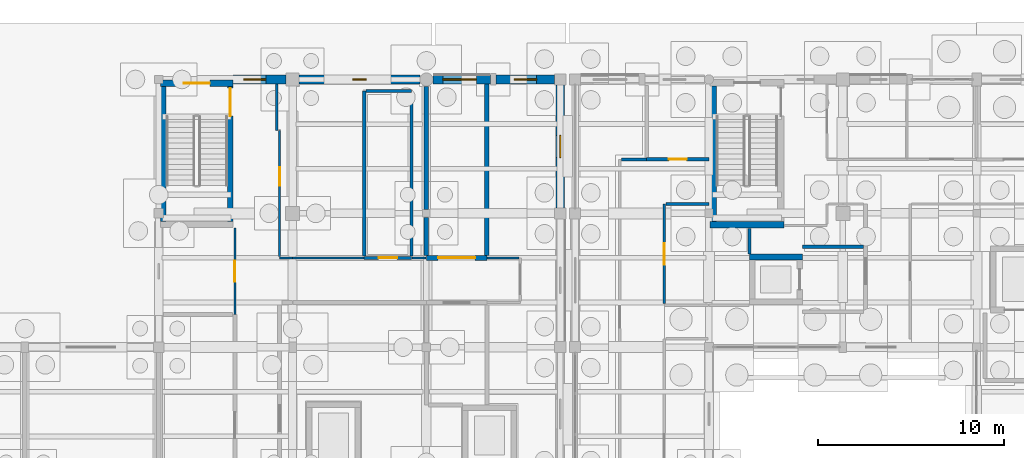
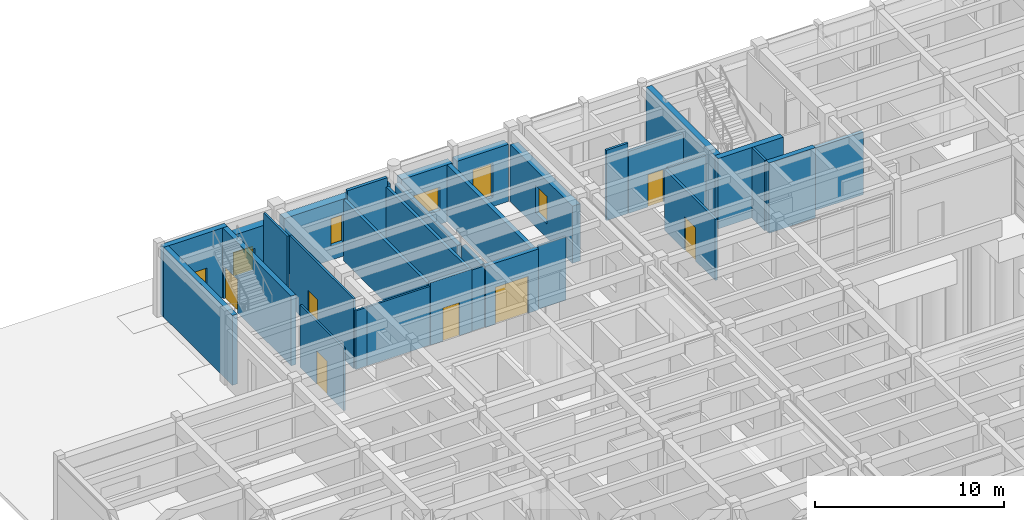
# One storey, part 109 of 143: 32 walls, 8 doors, 5 windows, 13 openings.
"""IFC4 building model written with IfcOpenShell, lengths in metres."""

from ifc_helpers import new_model, si_unit, direction, frame, frame_2d, origin, place, context, subcontext, project, spatial, rectangle, extrude, material, layer, layer_set, type_object, element, fill, save


model = new_model("IFC4")

# Units and contexts
model_context = context("Model", 3, precision=1e-05, world=origin(), true_north=direction((0.0, 1.0)))
body_context = subcontext(model_context, "Body", "Model", "MODEL_VIEW")
ifc_project = project(units=[si_unit("LENGTHUNIT", "METRE"), si_unit("AREAUNIT", "SQUARE_METRE"), si_unit("VOLUMEUNIT", "CUBIC_METRE"), si_unit("PLANEANGLEUNIT", "RADIAN"), si_unit("MASSUNIT", "GRAM", prefix="KILO")], contexts=[model_context])

# Site, building, storey
site_placement = place(None, origin())
site = spatial("IfcSite", under=ifc_project, at=site_placement, CompositionType="ELEMENT")
building_placement = place(site_placement, origin())
building = spatial("IfcBuilding", under=site, at=building_placement, Name="Steenspoor Specialist Clinic", CompositionType="ELEMENT")
storey_placement = place(building_placement, origin())
storey = spatial("IfcBuildingStorey", under=building, at=storey_placement, Name="L00", CompositionType="ELEMENT", Elevation=0.0)

# Wall, opening, window
ifc_material_1 = material(Name="Volcanic basalt ashlar masonry", Category="masonry")
ifc_layer_1 = layer(ifc_material_1, 0.47998046875)
ifc_layer_set_1 = layer_set([ifc_layer_1], Name="Volcanic basalt ashlar masonry")
wall_type_1 = type_object("IfcWallType", Name="W-BASALT-480", PredefinedType="SOLIDWALL", material=ifc_layer_set_1)
wall_1_placement = place(storey_placement, frame((34.0, 108.35009765625, 0.0), z_axis=(0.0, 0.0, 1.0), x_axis=(1.0, 0.0, 0.0)))
wall_1 = element("IfcWall", 1, at=wall_1_placement, inside=storey, type_object=wall_type_1, Name="Exterior Brick Wall EW-V5-L00-0244", PredefinedType="SOLIDWALL", context=body_context, shape_type="SweptSolid", body=[
    extrude(rectangle(XDim=2.85009765625, YDim=0.47998046875, at=frame_2d((1.425048828125, 0.0))), origin(), (0.0, 0.0, 1.0), 3.699951171875),
])
opening_1_placement = place(wall_1_placement, frame((0.56494140625, 0.0, 0.89990234375)))
opening_1 = element("IfcOpeningElement", 2, at=opening_1_placement, cuts=wall_1, Name="Opening WN-11", PredefinedType="OPENING", context=body_context, shape_type="SweptSolid", body=[
    extrude(rectangle(XDim=1.199951171875, YDim=1.5, at=frame_2d((0.60009765625, 0.75))), frame((0.0, 0.25, 0.0), z_axis=(0.0, -1.0, 0.0), x_axis=(1.0, 0.0, 0.0)), (0.0, 0.0, 1.0), 0.5),
])
ifc_material_2 = material(Name="Thermally broken aluminium and low-emissivity glass", Category="aluminium")
window_type_1 = type_object("IfcWindowType", Name="WN-EXT-120X150", PartitioningType="SINGLE_PANEL", PredefinedType="WINDOW", material=ifc_material_2)
window_1_placement = place(opening_1_placement, origin())
window_1 = element("IfcWindow", 3, at=window_1_placement, inside=storey, type_object=window_type_1, Name="Window 0265", OverallHeight=1.5, OverallWidth=1.199951171875, PartitioningType="SINGLE_PANEL", PredefinedType="WINDOW", context=body_context, shape_type="SweptSolid", body=[
    extrude(rectangle(XDim=1.199951171875, YDim=1.5, at=frame_2d((0.60009765625, 0.75))), frame((0.0, 0.030029296875, 0.0), z_axis=(0.0, -1.0, 0.0), x_axis=(1.0, 0.0, 0.0)), (0.0, 0.0, 1.0), 0.06005859375),
])
fill(opening_1, window_1)

wall_2_placement = place(storey_placement, frame((37.550048828125, 108.35009765625, 0.0), z_axis=(0.0, 0.0, 1.0), x_axis=(1.0, 0.0, 0.0)))
wall_2 = element("IfcWall", 4, at=wall_2_placement, inside=storey, type_object=wall_type_1, Name="Exterior Brick Wall EW-V5-L00-0245", PredefinedType="SOLIDWALL", context=body_context, shape_type="SweptSolid", body=[
    extrude(rectangle(XDim=6.5, YDim=0.47998046875, at=frame_2d((3.25, 0.0))), origin(), (0.0, 0.0, 1.0), 3.699951171875),
])
opening_2_placement = place(wall_2_placement, frame((2.875, 0.0, 0.89990234375)))
opening_2 = element("IfcOpeningElement", 5, at=opening_2_placement, cuts=wall_2, Name="Opening WN-02", PredefinedType="OPENING", context=body_context, shape_type="SweptSolid", body=[
    extrude(rectangle(XDim=0.75, YDim=1.800048828125, at=frame_2d((0.375, 0.89990234375))), frame((0.0, 0.25, 0.0), z_axis=(0.0, -1.0, 0.0), x_axis=(1.0, 0.0, 0.0)), (0.0, 0.0, 1.0), 0.5),
])
window_type_2 = type_object("IfcWindowType", Name="WN-EXT-075X180", PartitioningType="SINGLE_PANEL", PredefinedType="WINDOW", material=ifc_material_2)
window_2_placement = place(opening_2_placement, origin())
window_2 = element("IfcWindow", 6, at=window_2_placement, inside=storey, type_object=window_type_2, Name="Window 0266", OverallHeight=1.800048828125, OverallWidth=0.75, PartitioningType="SINGLE_PANEL", PredefinedType="WINDOW", context=body_context, shape_type="SweptSolid", body=[
    extrude(rectangle(XDim=0.75, YDim=1.800048828125, at=frame_2d((0.375, 0.89990234375))), frame((0.0, 0.030029296875, 0.0), z_axis=(0.0, -1.0, 0.0), x_axis=(1.0, 0.0, 0.0)), (0.0, 0.0, 1.0), 0.06005859375),
])
fill(opening_2, window_2)

wall_3_placement = place(storey_placement, frame((44.75, 108.35009765625, 0.0), z_axis=(0.0, 0.0, 1.0), x_axis=(1.0, 0.0, 0.0)))
wall_3 = element("IfcWall", 7, at=wall_3_placement, inside=storey, type_object=wall_type_1, Name="Exterior Brick Wall EW-V5-L00-0246", PredefinedType="SOLIDWALL", context=body_context, shape_type="SweptSolid", body=[
    extrude(rectangle(XDim=3.10009765625, YDim=0.47998046875, at=frame_2d((1.550048828125, 0.0))), origin(), (0.0, 0.0, 1.0), 3.699951171875),
])
opening_3_placement = place(wall_3_placement, frame((0.5400390625, 0.0, 0.89990234375)))
opening_3 = element("IfcOpeningElement", 8, at=opening_3_placement, cuts=wall_3, Name="Opening WN-13", PredefinedType="OPENING", context=body_context, shape_type="SweptSolid", body=[
    extrude(rectangle(XDim=1.800048828125, YDim=1.5, at=frame_2d((0.89990234375, 0.75))), frame((0.0, 0.25, 0.0), z_axis=(0.0, -1.0, 0.0), x_axis=(1.0, 0.0, 0.0)), (0.0, 0.0, 1.0), 0.5),
])
window_type_3 = type_object("IfcWindowType", Name="WN-EXT-180X150", PartitioningType="SINGLE_PANEL", PredefinedType="WINDOW", material=ifc_material_2)
window_3_placement = place(opening_3_placement, origin())
window_3 = element("IfcWindow", 9, at=window_3_placement, inside=storey, type_object=window_type_3, Name="Window 0267", OverallHeight=1.5, OverallWidth=1.800048828125, PartitioningType="SINGLE_PANEL", PredefinedType="WINDOW", context=body_context, shape_type="SweptSolid", body=[
    extrude(rectangle(XDim=1.800048828125, YDim=1.5, at=frame_2d((0.89990234375, 0.75))), frame((0.0, 0.030029296875, 0.0), z_axis=(0.0, -1.0, 0.0), x_axis=(1.0, 0.0, 0.0)), (0.0, 0.0, 1.0), 0.06005859375),
])
fill(opening_3, window_3)

wall_4_placement = place(storey_placement, frame((48.14990234375, 108.35009765625, 0.0), z_axis=(0.0, 0.0, 1.0), x_axis=(1.0, 0.0, 0.0)))
wall_4 = element("IfcWall", 10, at=wall_4_placement, inside=storey, type_object=wall_type_1, Name="Exterior Brick Wall EW-V5-L00-0247", PredefinedType="SOLIDWALL", context=body_context, shape_type="SweptSolid", body=[
    extrude(rectangle(XDim=3.150146484375, YDim=0.47998046875, at=frame_2d((1.5751953125, 0.0))), origin(), (0.0, 0.0, 1.0), 3.699951171875),
])
opening_4_placement = place(wall_4_placement, frame((0.97509765625, 0.0, 0.60009765625)))
opening_4 = element("IfcOpeningElement", 11, at=opening_4_placement, cuts=wall_4, Name="Opening WN-15", PredefinedType="OPENING", context=body_context, shape_type="SweptSolid", body=[
    extrude(rectangle(XDim=1.199951171875, YDim=2.199951171875, at=frame_2d((0.60009765625, 1.10009765625))), frame((0.0, 0.25, 0.0), z_axis=(0.0, -1.0, 0.0), x_axis=(1.0, 0.0, 0.0)), (0.0, 0.0, 1.0), 0.5),
])
window_type_4 = type_object("IfcWindowType", Name="WN-EXT-120X220", PartitioningType="SINGLE_PANEL", PredefinedType="WINDOW", material=ifc_material_2)
window_4_placement = place(opening_4_placement, origin())
window_4 = element("IfcWindow", 12, at=window_4_placement, inside=storey, type_object=window_type_4, Name="Window 0268", OverallHeight=2.199951171875, OverallWidth=1.199951171875, PartitioningType="SINGLE_PANEL", PredefinedType="WINDOW", context=body_context, shape_type="SweptSolid", body=[
    extrude(rectangle(XDim=1.199951171875, YDim=2.199951171875, at=frame_2d((0.60009765625, 1.10009765625))), frame((0.0, 0.030029296875, 0.0), z_axis=(0.0, -1.0, 0.0), x_axis=(1.0, 0.0, 0.0)), (0.0, 0.0, 1.0), 0.06005859375),
])
fill(opening_4, window_4)

wall_5_placement = place(storey_placement, frame((51.60009765625, 108.050048828125, 0.0), z_axis=(0.0, 0.0, 1.0), x_axis=(0.0, -1.0, 0.0)))
wall_5 = element("IfcWall", 13, at=wall_5_placement, inside=storey, type_object=wall_type_1, Name="Exterior Brick Wall EW-V5-L00-0248", PredefinedType="SOLIDWALL", context=body_context, shape_type="SweptSolid", body=[
    extrude(rectangle(XDim=6.60009765625, YDim=0.47998046875, at=frame_2d((3.300048828125, 0.0))), origin(), (0.0, 0.0, 1.0), 3.699951171875),
])
opening_5_placement = place(wall_5_placement, frame((2.699951171875, 0.0, 0.89990234375)))
opening_5 = element("IfcOpeningElement", 14, at=opening_5_placement, cuts=wall_5, Name="Opening WN-05", PredefinedType="OPENING", context=body_context, shape_type="SweptSolid", body=[
    extrude(rectangle(XDim=1.199951171875, YDim=1.800048828125, at=frame_2d((0.60009765625, 0.89990234375))), frame((0.0, 0.25, 0.0), z_axis=(0.0, -1.0, 0.0), x_axis=(1.0, 0.0, 0.0)), (0.0, 0.0, 1.0), 0.5),
])
window_type_5 = type_object("IfcWindowType", Name="WN-EXT-120X180", PartitioningType="SINGLE_PANEL", PredefinedType="WINDOW", material=ifc_material_2)
window_5_placement = place(opening_5_placement, origin())
window_5 = element("IfcWindow", 15, at=window_5_placement, inside=storey, type_object=window_type_5, Name="Window 0269", OverallHeight=1.800048828125, OverallWidth=1.199951171875, PartitioningType="SINGLE_PANEL", PredefinedType="WINDOW", context=body_context, shape_type="SweptSolid", body=[
    extrude(rectangle(XDim=1.199951171875, YDim=1.800048828125, at=frame_2d((0.60009765625, 0.89990234375))), frame((0.0, 0.030029296875, 0.0), z_axis=(0.0, -1.0, 0.0), x_axis=(1.0, 0.0, 0.0)), (0.0, 0.0, 1.0), 0.06005859375),
])
fill(opening_5, window_5)

# Wall
ifc_material_3 = material(Name="Gypsum acoustic clinical partition", Category="gypsum")
ifc_layer_2 = layer(ifc_material_3, 0.14990234375)
ifc_layer_set_2 = layer_set([ifc_layer_2], Name="Gypsum acoustic clinical partition")
wall_type_2 = type_object("IfcWallType", Name="W-CLIN-150", PredefinedType="PARTITIONING", material=ifc_layer_set_2)
wall_6_placement = place(storey_placement, frame((54.889892578125, 104.050048828125, 0.0), z_axis=(0.0, 0.0, 1.0), x_axis=(1.0, 0.0, 0.0)))
element("IfcWall", 16, at=wall_6_placement, inside=storey, type_object=wall_type_2, Name="Interior Partition IW-V4-L00-0249", PredefinedType="PARTITIONING", context=body_context, shape_type="SweptSolid", body=[
    extrude(rectangle(XDim=1.34521484375, YDim=0.14990234375, at=frame_2d((0.672607421875, 0.0))), origin(), (0.0, 0.0, 1.0), 4.550048828125),
])

# Wall, opening, door
wall_7_placement = place(storey_placement, frame((57.199951171875, 96.2900390625, 0.0), z_axis=(0.0, 0.0, 1.0), x_axis=(0.0, 1.0, 0.0)))
wall_7 = element("IfcWall", 17, at=wall_7_placement, inside=storey, type_object=wall_type_2, Name="Interior Partition IW-V4-L00-0265", PredefinedType="PARTITIONING", context=body_context, shape_type="SweptSolid", body=[
    extrude(rectangle(XDim=5.35986328125, YDim=0.14990234375, at=frame_2d((2.679931640625, 0.0))), origin(), (0.0, 0.0, 1.0), 3.955078125),
])
opening_6_placement = place(wall_7_placement, frame((2.10498046875, 0.0, 0.0)))
opening_6 = element("IfcOpeningElement", 18, at=opening_6_placement, cuts=wall_7, Name="Opening D0177", PredefinedType="OPENING", context=body_context, shape_type="SweptSolid", body=[
    extrude(rectangle(XDim=1.14990234375, YDim=2.14990234375, at=frame_2d((0.574951171875, 1.074951171875))), frame((0.0, 0.0849609375, 0.0), z_axis=(0.0, -1.0, 0.0), x_axis=(1.0, 0.0, 0.0)), (0.0, 0.0, 1.0), 0.169921875),
])
ifc_material_4 = material(Name="Solid-core hardwood clinical door", Category="wood")
door_type_1 = type_object("IfcDoorType", Name="DT-CONS-115X215", OperationType="NOTDEFINED", PredefinedType="DOOR", material=ifc_material_4)
door_1_placement = place(opening_6_placement, origin())
door_1 = element("IfcDoor", 19, at=door_1_placement, inside=storey, type_object=door_type_1, Name="Clinical Door D0177", OperationType="SINGLE_SWING_RIGHT", OverallHeight=2.14990234375, OverallWidth=1.14990234375, PredefinedType="DOOR", context=body_context, shape_type="SweptSolid", body=[
    extrude(rectangle(XDim=1.14990234375, YDim=2.14990234375, at=frame_2d((0.574951171875, 1.074951171875))), frame((0.0, 0.02490234375, 0.0), z_axis=(0.0, -1.0, 0.0), x_axis=(1.0, 0.0, 0.0)), (0.0, 0.0, 1.0), 0.050048828125),
])
fill(opening_6, door_1)

# Walls
wall_8_placement = place(storey_placement, frame((57.2900390625, 101.64990234375, 0.0), z_axis=(0.0, 0.0, 1.0), x_axis=(1.0, 0.0, 0.0)))
element("IfcWall", 20, at=wall_8_placement, inside=storey, type_object=wall_type_2, Name="Interior Partition IW-V4-L00-0266", PredefinedType="PARTITIONING", context=body_context, shape_type="SweptSolid", body=[
    extrude(rectangle(XDim=2.31005859375, YDim=0.14990234375, at=frame_2d((1.155029296875, 0.0))), origin(), (0.0, 0.0, 1.0), 4.014892578125),
])
wall_9_placement = place(storey_placement, frame((61.77490234375, 98.965087890625, 0.0), z_axis=(0.0, 0.0, 1.0), x_axis=(0.0, 1.0, 0.0)))
element("IfcWall", 21, at=wall_9_placement, inside=storey, type_object=wall_type_2, Name="Interior Partition IW-V4-L00-0627", PredefinedType="PARTITIONING", context=body_context, shape_type="SweptSolid", body=[
    extrude(rectangle(XDim=1.369873046875, YDim=0.14990234375, at=frame_2d((0.68505859375, 0.0))), origin(), (0.0, 0.0, 1.0), 4.550048828125),
])

# Wall, opening, door
ifc_material_5 = material(Name="Concrete C40/50", Category="concrete")
ifc_layer_3 = layer(ifc_material_5, 0.330078125)
ifc_layer_set_3 = layer_set([ifc_layer_3], Name="Concrete C40/50")
wall_type_3 = type_object("IfcWallType", Name="W-ESW-330", PredefinedType="SHEAR", material=ifc_layer_set_3)
wall_10_placement = place(storey_placement, frame((30.10009765625, 108.14990234375, 0.0), z_axis=(0.0, 0.0, 1.0), x_axis=(1.0, 0.0, 0.0)))
wall_10 = element("IfcWall", 22, at=wall_10_placement, inside=storey, type_object=wall_type_3, Name="Core Shear Wall SW-ST-V5A-L00-N", PredefinedType="SHEAR", context=body_context, shape_type="SweptSolid", body=[
    extrude(rectangle(XDim=3.89990234375, YDim=0.330078125, at=frame_2d((1.949951171875, 0.0))), origin(), (0.0, 0.0, 1.0), 4.52001953125),
])
opening_7_placement = place(wall_10_placement, frame((1.25, 0.0, 0.0)))
opening_7 = element("IfcOpeningElement", 23, at=opening_7_placement, cuts=wall_10, Name="Opening ED08", PredefinedType="OPENING", context=body_context, shape_type="SweptSolid", body=[
    extrude(rectangle(XDim=1.39990234375, YDim=2.25, at=frame_2d((0.699951171875, 1.125))), frame((0.0, 0.175048828125, 0.0), z_axis=(0.0, -1.0, 0.0), x_axis=(1.0, 0.0, 0.0)), (0.0, 0.0, 1.0), 0.35009765625),
])
ifc_material_6 = material(Name="Painted galvanised steel door", Category="steel")
door_type_2 = type_object("IfcDoorType", Name="DT-EXIT-140X225", OperationType="NOTDEFINED", PredefinedType="DOOR", material=ifc_material_6)
door_2_placement = place(opening_7_placement, origin())
door_2 = element("IfcDoor", 24, at=door_2_placement, inside=storey, type_object=door_type_2, Name="Exit Stair Discharge Door ED08", OperationType="SINGLE_SWING_RIGHT", OverallHeight=2.25, OverallWidth=1.39990234375, PredefinedType="DOOR", context=body_context, shape_type="SweptSolid", body=[
    extrude(rectangle(XDim=1.39990234375, YDim=2.25, at=frame_2d((0.699951171875, 1.125))), frame((0.0, 0.02490234375, 0.0), z_axis=(0.0, -1.0, 0.0), x_axis=(1.0, 0.0, 0.0)), (0.0, 0.0, 1.0), 0.050048828125),
])
fill(opening_7, door_2)

# Wall
ifc_material_7 = material(Name="Gypsum studio partition board", Category="gypsum")
ifc_layer_4 = layer(ifc_material_7, 0.1201171875)
ifc_layer_set_4 = layer_set([ifc_layer_4], Name="Gypsum studio partition board")
wall_type_4 = type_object("IfcWallType", Name="W-PART-120", PredefinedType="PARTITIONING", material=ifc_layer_set_4)
wall_11_placement = place(storey_placement, frame((47.6650390625, 98.75, 0.0), z_axis=(0.0, 0.0, 1.0), x_axis=(1.0, 0.0, 0.0)))
element("IfcWall", 25, at=wall_11_placement, inside=storey, type_object=wall_type_4, Name="Interior Partition IW-V5-L00-0372", PredefinedType="PARTITIONING", context=body_context, shape_type="SweptSolid", body=[
    extrude(rectangle(XDim=1.7099609375, YDim=0.1201171875, at=frame_2d((0.85498046875, 0.0))), origin(), (0.0, 0.0, 1.0), 4.0849609375),
])

# Wall, opening, door
wall_12_placement = place(storey_placement, frame((34.10009765625, 95.719970703125, 0.0), z_axis=(0.0, 0.0, 1.0), x_axis=(0.0, 1.0, 0.0)))
wall_12 = element("IfcWall", 26, at=wall_12_placement, inside=storey, type_object=wall_type_4, Name="Interior Partition IW-V5-L00-0373", PredefinedType="PARTITIONING", context=body_context, shape_type="SweptSolid", body=[
    extrude(rectangle(XDim=4.630126953125, YDim=0.1201171875, at=frame_2d((2.31494140625, 0.0))), origin(), (0.0, 0.0, 1.0), 4.044921875),
])
opening_8_placement = place(wall_12_placement, frame((1.739990234375, 0.0, 0.0)))
opening_8 = element("IfcOpeningElement", 27, at=opening_8_placement, cuts=wall_12, Name="Opening D0339", PredefinedType="OPENING", context=body_context, shape_type="SweptSolid", body=[
    extrude(rectangle(XDim=1.14990234375, YDim=2.14990234375, at=frame_2d((0.574951171875, 1.074951171875))), frame((0.0, 0.070068359375, 0.0), z_axis=(0.0, -1.0, 0.0), x_axis=(1.0, 0.0, 0.0)), (0.0, 0.0, 1.0), 0.14013671875),
])
door_3_placement = place(opening_8_placement, origin())
door_3 = element("IfcDoor", 28, at=door_3_placement, inside=storey, type_object=door_type_1, Name="Clinical Door D0339", OperationType="SINGLE_SWING_RIGHT", OverallHeight=2.14990234375, OverallWidth=1.14990234375, PredefinedType="DOOR", context=body_context, shape_type="SweptSolid", body=[
    extrude(rectangle(XDim=1.14990234375, YDim=2.14990234375, at=frame_2d((0.574951171875, 1.074951171875))), frame((0.0, 0.02490234375, 0.0), z_axis=(0.0, -1.0, 0.0), x_axis=(1.0, 0.0, 0.0)), (0.0, 0.0, 1.0), 0.050048828125),
])
fill(opening_8, door_3)

# Walls
wall_13_placement = place(storey_placement, frame((36.35009765625, 105.60009765625, 0.0), z_axis=(0.0, 0.0, 1.0), x_axis=(0.0, 1.0, 0.0)))
element("IfcWall", 29, at=wall_13_placement, inside=storey, type_object=wall_type_4, Name="Interior Partition IW-V5-L00-0374", PredefinedType="PARTITIONING", context=body_context, shape_type="SweptSolid", body=[
    extrude(rectangle(XDim=2.494873046875, YDim=0.1201171875, at=frame_2d((1.24755859375, 0.0))), origin(), (0.0, 0.0, 1.0), 4.52001953125),
])
wall_14_placement = place(storey_placement, frame((43.614990234375, 98.75, 0.0), z_axis=(0.0, 0.0, 1.0), x_axis=(1.0, 0.0, 0.0)))
element("IfcWall", 30, at=wall_14_placement, inside=storey, type_object=wall_type_4, Name="Interior Partition IW-V5-L00-0375", PredefinedType="PARTITIONING", context=body_context, shape_type="SweptSolid", body=[
    extrude(rectangle(XDim=0.77001953125, YDim=0.1201171875, at=frame_2d((0.385009765625, 0.0))), origin(), (0.0, 0.0, 1.0), 3.955078125),
])
wall_15_placement = place(storey_placement, frame((37.199951171875, 98.75, 0.0), z_axis=(0.0, 0.0, 1.0), x_axis=(1.0, 0.0, 0.0)))
element("IfcWall", 31, at=wall_15_placement, inside=storey, type_object=wall_type_4, Name="Interior Partition IW-V5-L00-0376", PredefinedType="PARTITIONING", context=body_context, shape_type="SweptSolid", body=[
    extrude(rectangle(XDim=3.8349609375, YDim=0.1201171875, at=frame_2d((1.91748046875, 0.0))), origin(), (0.0, 0.0, 1.0), 3.804931640625),
])
wall_16_placement = place(storey_placement, frame((36.5, 98.75, 0.0), z_axis=(0.0, 0.0, 1.0), x_axis=(1.0, 0.0, 0.0)))
element("IfcWall", 32, at=wall_16_placement, inside=storey, type_object=wall_type_4, Name="Interior Partition IW-V5-L00-0377", PredefinedType="PARTITIONING", context=body_context, shape_type="SweptSolid", body=[
    extrude(rectangle(XDim=0.68505859375, YDim=0.1201171875, at=frame_2d((0.342529296875, 0.0))), origin(), (0.0, 0.0, 1.0), 3.804931640625),
])

# Wall, opening, door
wall_17_placement = place(storey_placement, frame((36.5, 98.824951171875, 0.0), z_axis=(0.0, 0.0, 1.0), x_axis=(0.0, 1.0, 0.0)))
wall_17 = element("IfcWall", 33, at=wall_17_placement, inside=storey, type_object=wall_type_4, Name="Interior Partition IW-V5-L00-0378", PredefinedType="PARTITIONING", context=body_context, shape_type="SweptSolid", body=[
    extrude(rectangle(XDim=6.775146484375, YDim=0.1201171875, at=frame_2d((3.3876953125, 0.0))), origin(), (0.0, 0.0, 1.0), 4.52001953125),
])
opening_9_placement = place(wall_17_placement, frame((3.8115234375, 0.0, 0.0)))
opening_9 = element("IfcOpeningElement", 34, at=opening_9_placement, cuts=wall_17, Name="Opening D0341", PredefinedType="OPENING", context=body_context, shape_type="SweptSolid", body=[
    extrude(rectangle(XDim=1.0, YDim=2.14990234375, at=frame_2d((0.5, 1.074951171875))), frame((0.0, 0.070068359375, 0.0), z_axis=(0.0, -1.0, 0.0), x_axis=(1.0, 0.0, 0.0)), (0.0, 0.0, 1.0), 0.14013671875),
])
ifc_material_8 = material(Name="Moisture-resistant HPL accessible WC door", Category="wood")
door_type_3 = type_object("IfcDoorType", Name="DT-AWC-100X215", OperationType="NOTDEFINED", PredefinedType="DOOR", material=ifc_material_8)
door_4_placement = place(opening_9_placement, origin())
door_4 = element("IfcDoor", 35, at=door_4_placement, inside=storey, type_object=door_type_3, Name="Clinical Door D0341", OperationType="SINGLE_SWING_RIGHT", OverallHeight=2.14990234375, OverallWidth=1.0, PredefinedType="DOOR", context=body_context, shape_type="SweptSolid", body=[
    extrude(rectangle(XDim=1.0, YDim=2.14990234375, at=frame_2d((0.5, 1.074951171875))), frame((0.0, 0.02490234375, 0.0), z_axis=(0.0, -1.0, 0.0), x_axis=(1.0, 0.0, 0.0)), (0.0, 0.0, 1.0), 0.050048828125),
])
fill(opening_9, door_4)

ifc_material_9 = material(Name="Moisture-resistant gypsum plumbing wall", Category="gypsum")
ifc_layer_5 = layer(ifc_material_9, 0.179931640625)
ifc_layer_set_5 = layer_set([ifc_layer_5], Name="Moisture-resistant gypsum plumbing wall")
wall_type_5 = type_object("IfcWallType", Name="W-PLUMB-180", PredefinedType="PLUMBINGWALL", material=ifc_layer_set_5)
wall_18_placement = place(storey_placement, frame((41.050048828125, 98.75, 0.0), z_axis=(0.0, 0.0, 1.0), x_axis=(1.0, 0.0, 0.0)))
wall_18 = element("IfcWall", 36, at=wall_18_placement, inside=storey, type_object=wall_type_5, Name="Interior Partition IW-V5-L00-0013", PredefinedType="PLUMBINGWALL", context=body_context, shape_type="SweptSolid", body=[
    extrude(rectangle(XDim=2.550048828125, YDim=0.179931640625, at=frame_2d((1.27490234375, 0.0))), origin(), (0.0, 0.0, 1.0), 4.044921875),
])
opening_10_placement = place(wall_18_placement, frame((0.77490234375, 0.0, 0.0)))
opening_10 = element("IfcOpeningElement", 37, at=opening_10_placement, cuts=wall_18, Name="Opening D0340", PredefinedType="OPENING", context=body_context, shape_type="SweptSolid", body=[
    extrude(rectangle(XDim=1.0, YDim=2.14990234375, at=frame_2d((0.5, 1.074951171875))), frame((0.0, 0.10009765625, 0.0), z_axis=(0.0, -1.0, 0.0), x_axis=(1.0, 0.0, 0.0)), (0.0, 0.0, 1.0), 0.199951171875),
])
door_5_placement = place(opening_10_placement, origin())
door_5 = element("IfcDoor", 38, at=door_5_placement, inside=storey, type_object=door_type_3, Name="Clinical Door D0340", OperationType="SINGLE_SWING_LEFT", OverallHeight=2.14990234375, OverallWidth=1.0, PredefinedType="DOOR", context=body_context, shape_type="SweptSolid", body=[
    extrude(rectangle(XDim=1.0, YDim=2.14990234375, at=frame_2d((0.5, 1.074951171875))), frame((0.0, 0.02490234375, 0.0), z_axis=(0.0, -1.0, 0.0), x_axis=(1.0, 0.0, 0.0)), (0.0, 0.0, 1.0), 0.050048828125),
])
fill(opening_10, door_5)

# Walls
wall_19_placement = place(storey_placement, frame((41.050048828125, 98.85498046875, 0.0), z_axis=(0.0, 0.0, 1.0), x_axis=(0.0, 1.0, 0.0)))
element("IfcWall", 39, at=wall_19_placement, inside=storey, type_object=wall_type_5, Name="Interior Partition IW-V5-L00-0039", PredefinedType="PLUMBINGWALL", context=body_context, shape_type="SweptSolid", body=[
    extrude(rectangle(XDim=8.875, YDim=0.179931640625, at=frame_2d((4.4375, 0.0))), origin(), (0.0, 0.0, 1.0), 3.955078125),
])
wall_20_placement = place(storey_placement, frame((41.155029296875, 107.72998046875, 0.0), z_axis=(0.0, 0.0, 1.0), x_axis=(1.0, 0.0, 0.0)))
element("IfcWall", 40, at=wall_20_placement, inside=storey, type_object=wall_type_5, Name="Interior Partition IW-V5-L00-0040", PredefinedType="PLUMBINGWALL", context=body_context, shape_type="SweptSolid", body=[
    extrude(rectangle(XDim=2.445068359375, YDim=0.179931640625, at=frame_2d((1.22265625, 0.0))), origin(), (0.0, 0.0, 1.0), 4.52001953125),
])
wall_21_placement = place(storey_placement, frame((43.60009765625, 98.85498046875, 0.0), z_axis=(0.0, 0.0, 1.0), x_axis=(0.0, 1.0, 0.0)))
element("IfcWall", 41, at=wall_21_placement, inside=storey, type_object=wall_type_5, Name="Interior Partition IW-V5-L00-0041", PredefinedType="PLUMBINGWALL", context=body_context, shape_type="SweptSolid", body=[
    extrude(rectangle(XDim=8.77001953125, YDim=0.179931640625, at=frame_2d((4.385009765625, 0.0))), origin(), (0.0, 0.0, 1.0), 3.955078125),
])

# Wall, opening, door
wall_22_placement = place(storey_placement, frame((56.25, 104.050048828125, 0.0), z_axis=(0.0, 0.0, 1.0), x_axis=(1.0, 0.0, 0.0)))
wall_22 = element("IfcWall", 42, at=wall_22_placement, inside=storey, type_object=wall_type_5, Name="Interior Partition IW-V4-L00-0144", PredefinedType="PLUMBINGWALL", context=body_context, shape_type="SweptSolid", body=[
    extrude(rectangle(XDim=3.35009765625, YDim=0.179931640625, at=frame_2d((1.675048828125, 0.0))), origin(), (0.0, 0.0, 1.0), 4.014892578125),
])
opening_11_placement = place(wall_22_placement, frame((1.199951171875, 0.0, 0.0)))
opening_11 = element("IfcOpeningElement", 43, at=opening_11_placement, cuts=wall_22, Name="Opening D0181", PredefinedType="OPENING", context=body_context, shape_type="SweptSolid", body=[
    extrude(rectangle(XDim=0.949951171875, YDim=2.10009765625, at=frame_2d((0.47509765625, 1.050048828125))), frame((0.0, 0.10009765625, 0.0), z_axis=(0.0, -1.0, 0.0), x_axis=(1.0, 0.0, 0.0)), (0.0, 0.0, 1.0), 0.199951171875),
])
ifc_material_10 = material(Name="Moisture-resistant HPL sanitary door", Category="wood")
door_type_4 = type_object("IfcDoorType", Name="DT-WC-095X210", OperationType="NOTDEFINED", PredefinedType="DOOR", material=ifc_material_10)
door_6_placement = place(opening_11_placement, origin())
door_6 = element("IfcDoor", 44, at=door_6_placement, inside=storey, type_object=door_type_4, Name="Clinical Door D0181", OperationType="SINGLE_SWING_RIGHT", OverallHeight=2.10009765625, OverallWidth=0.949951171875, PredefinedType="DOOR", context=body_context, shape_type="SweptSolid", body=[
    extrude(rectangle(XDim=0.949951171875, YDim=2.10009765625, at=frame_2d((0.47509765625, 1.050048828125))), frame((0.0, 0.02490234375, 0.0), z_axis=(0.0, -1.0, 0.0), x_axis=(1.0, 0.0, 0.0)), (0.0, 0.0, 1.0), 0.050048828125),
])
fill(opening_11, door_6)

ifc_material_11 = material(Name="Fire-rated clay blockwork masonry", Category="masonry")
ifc_layer_6 = layer(ifc_material_11, 0.25)
ifc_layer_set_6 = layer_set([ifc_layer_6], Name="Fire-rated clay blockwork masonry")
wall_type_6 = type_object("IfcWallType", Name="W-SHAFT-250", PredefinedType="PARTITIONING", material=ifc_layer_set_6)
wall_23_placement = place(storey_placement, frame((44.39990234375, 98.75, 0.0), z_axis=(0.0, 0.0, 1.0), x_axis=(1.0, 0.0, 0.0)))
wall_23 = element("IfcWall", 45, at=wall_23_placement, inside=storey, type_object=wall_type_6, Name="Interior Partition IW-V5-L00-0061", PredefinedType="PARTITIONING", context=body_context, shape_type="SweptSolid", body=[
    extrude(rectangle(XDim=3.25, YDim=0.25, at=frame_2d((1.625, 0.0))), origin(), (0.0, 0.0, 1.0), 3.955078125),
])
opening_12_placement = place(wall_23_placement, frame((0.625, 0.0, 0.0)))
opening_12 = element("IfcOpeningElement", 46, at=opening_12_placement, cuts=wall_23, Name="Opening D0342", PredefinedType="OPENING", context=body_context, shape_type="SweptSolid", body=[
    extrude(rectangle(XDim=2.0, YDim=2.39990234375, at=frame_2d((1.0, 1.199951171875))), frame((0.0, 0.135009765625, 0.0), z_axis=(0.0, -1.0, 0.0), x_axis=(1.0, 0.0, 0.0)), (0.0, 0.0, 1.0), 0.27001953125),
])
ifc_material_12 = material(Name="Fire-rated louvred steel plant door", Category="steel")
door_type_5 = type_object("IfcDoorType", Name="DT-PLANT-200X240", OperationType="NOTDEFINED", PredefinedType="DOOR", material=ifc_material_12)
door_7_placement = place(opening_12_placement, origin())
door_7 = element("IfcDoor", 47, at=door_7_placement, inside=storey, type_object=door_type_5, Name="Clinical Door D0342", OperationType="DOUBLE_DOOR_SINGLE_SWING", OverallHeight=2.39990234375, OverallWidth=2.0, PredefinedType="DOOR", context=body_context, shape_type="SweptSolid", body=[
    extrude(rectangle(XDim=2.0, YDim=2.39990234375, at=frame_2d((1.0, 1.199951171875))), frame((0.0, 0.02490234375, 0.0), z_axis=(0.0, -1.0, 0.0), x_axis=(1.0, 0.0, 0.0)), (0.0, 0.0, 1.0), 0.050048828125),
])
fill(opening_12, door_7)

# Walls
wall_24_placement = place(storey_placement, frame((47.64990234375, 98.889892578125, 0.0), z_axis=(0.0, 0.0, 1.0), x_axis=(0.0, 1.0, 0.0)))
element("IfcWall", 48, at=wall_24_placement, inside=storey, type_object=wall_type_6, Name="Interior Partition IW-V5-L00-0419", PredefinedType="PARTITIONING", context=body_context, shape_type="SweptSolid", body=[
    extrude(rectangle(XDim=9.205078125, YDim=0.25, at=frame_2d((4.6025390625, 0.0))), origin(), (0.0, 0.0, 1.0), 3.705078125),
])
wall_25_placement = place(storey_placement, frame((44.39990234375, 98.889892578125, 0.0), z_axis=(0.0, 0.0, 1.0), x_axis=(0.0, 1.0, 0.0)))
element("IfcWall", 49, at=wall_25_placement, inside=storey, type_object=wall_type_6, Name="Interior Partition IW-V5-L00-0420", PredefinedType="PARTITIONING", context=body_context, shape_type="SweptSolid", body=[
    extrude(rectangle(XDim=2.045166015625, YDim=0.25, at=frame_2d((1.0224609375, 0.0))), origin(), (0.0, 0.0, 1.0), 3.955078125),
])
wall_26_placement = place(storey_placement, frame((44.39990234375, 101.364990234375, 0.0), z_axis=(0.0, 0.0, 1.0), x_axis=(0.0, 1.0, 0.0)))
element("IfcWall", 50, at=wall_26_placement, inside=storey, type_object=wall_type_6, Name="Interior Partition IW-V5-L00-0421", PredefinedType="PARTITIONING", context=body_context, shape_type="SweptSolid", body=[
    extrude(rectangle(XDim=6.6201171875, YDim=0.25, at=frame_2d((3.31005859375, 0.0))), origin(), (0.0, 0.0, 1.0), 3.705078125),
])
ifc_material_13 = material(Name="Gypsum acoustic smoke barrier board", Category="gypsum")
ifc_layer_7 = layer(ifc_material_13, 0.199951171875)
ifc_layer_set_7 = layer_set([ifc_layer_7], Name="Gypsum acoustic smoke barrier board")
wall_type_7 = type_object("IfcWallType", Name="W-SMOKE-200", PredefinedType="PARTITIONING", material=ifc_layer_set_7)
wall_27_placement = place(storey_placement, frame((64.625, 99.35009765625, 0.0), z_axis=(0.0, 0.0, 1.0), x_axis=(1.0, 0.0, 0.0)))
element("IfcWall", 51, at=wall_27_placement, inside=storey, type_object=wall_type_7, Name="Interior Partition IW-V4-L00-0027", PredefinedType="PARTITIONING", context=body_context, shape_type="SweptSolid", body=[
    extrude(rectangle(XDim=3.284912109375, YDim=0.199951171875, at=frame_2d((1.642578125, 0.0))), origin(), (0.0, 0.0, 1.0), 4.054931640625),
])
ifc_layer_8 = layer(ifc_material_5, 0.300048828125)
ifc_layer_set_8 = layer_set([ifc_layer_8], Name="Concrete C40/50")
wall_type_8 = type_object("IfcWallType", Name="W-SW-300", PredefinedType="SHEAR", material=ifc_layer_set_8)
wall_28_placement = place(storey_placement, frame((30.25, 100.699951171875, 0.0), z_axis=(0.0, 0.0, 1.0), x_axis=(0.0, 1.0, 0.0)))
element("IfcWall", 52, at=wall_28_placement, inside=storey, type_object=wall_type_8, Name="Core Shear Wall SW-ST-V5A-L00-W", PredefinedType="SHEAR", context=body_context, shape_type="SweptSolid", body=[
    extrude(rectangle(XDim=7.300048828125, YDim=0.300048828125, at=frame_2d((3.64990234375, 0.0))), origin(), (0.0, 0.0, 1.0), 4.52001953125),
])

# Wall, opening, door
wall_29_placement = place(storey_placement, frame((33.85009765625, 100.699951171875, 0.0), z_axis=(0.0, 0.0, 1.0), x_axis=(0.0, 1.0, 0.0)))
wall_29 = element("IfcWall", 53, at=wall_29_placement, inside=storey, type_object=wall_type_8, Name="Core Shear Wall SW-ST-V5A-L00-E", PredefinedType="SHEAR", context=body_context, shape_type="SweptSolid", body=[
    extrude(rectangle(XDim=7.300048828125, YDim=0.300048828125, at=frame_2d((3.64990234375, 0.0))), origin(), (0.0, 0.0, 1.0), 4.52001953125),
])
opening_13_placement = place(wall_29_placement, frame((5.679931640625, 0.0, 0.0)))
opening_13 = element("IfcOpeningElement", 54, at=opening_13_placement, cuts=wall_29, Name="Opening SD027", PredefinedType="OPENING", context=body_context, shape_type="SweptSolid", body=[
    extrude(rectangle(XDim=1.5, YDim=2.14990234375, at=frame_2d((0.75, 1.074951171875))), frame((0.0, 0.16015625, 0.0), z_axis=(0.0, -1.0, 0.0), x_axis=(1.0, 0.0, 0.0)), (0.0, 0.0, 1.0), 0.320068359375),
])
ifc_material_14 = material(Name="Fire-rated steel acoustic door", Category="steel")
door_type_6 = type_object("IfcDoorType", Name="DT-STAIR-150X215", OperationType="NOTDEFINED", PredefinedType="DOOR", material=ifc_material_14)
door_8_placement = place(opening_13_placement, origin())
door_8 = element("IfcDoor", 55, at=door_8_placement, inside=storey, type_object=door_type_6, Name="Exit Stair Fire Door SD027", OperationType="SINGLE_SWING_RIGHT", OverallHeight=2.14990234375, OverallWidth=1.5, PredefinedType="DOOR", context=body_context, shape_type="SweptSolid", body=[
    extrude(rectangle(XDim=1.5, YDim=2.14990234375, at=frame_2d((0.75, 1.074951171875))), frame((0.0, 0.02490234375, 0.0), z_axis=(0.0, -1.0, 0.0), x_axis=(1.0, 0.0, 0.0)), (0.0, 0.0, 1.0), 0.050048828125),
])
fill(opening_13, door_8)

# Walls
wall_30_placement = place(storey_placement, frame((61.77490234375, 98.800048828125, 0.0), z_axis=(0.0, 0.0, 1.0), x_axis=(1.0, 0.0, 0.0)))
element("IfcWall", 56, at=wall_30_placement, inside=storey, type_object=wall_type_8, Name="Lift Shaft Shear Wall SW-EL-P2-L00-N", PredefinedType="SHEAR", context=body_context, shape_type="SweptSolid", body=[
    extrude(rectangle(XDim=2.85009765625, YDim=0.300048828125, at=frame_2d((1.425048828125, 0.0))), origin(), (0.0, 0.0, 1.0), 4.550048828125),
])
ifc_layer_9 = layer(ifc_material_5, 0.35009765625)
ifc_layer_set_9 = layer_set([ifc_layer_9], Name="Concrete C40/50")
wall_type_9 = type_object("IfcWallType", Name="W-SW-350", PredefinedType="SHEAR", material=ifc_layer_set_9)
wall_31_placement = place(storey_placement, frame((59.64990234375, 100.52490234375, 0.0), z_axis=(0.0, 0.0, 1.0), x_axis=(1.0, 0.0, 0.0)))
element("IfcWall", 57, at=wall_31_placement, inside=storey, type_object=wall_type_9, Name="Core Shear Wall SW-ST-V4A-L00-S", PredefinedType="SHEAR", context=body_context, shape_type="SweptSolid", body=[
    extrude(rectangle(XDim=4.0, YDim=0.35009765625, at=frame_2d((2.0, 0.0))), origin(), (0.0, 0.0, 1.0), 4.550048828125),
])
wall_32_placement = place(storey_placement, frame((59.824951171875, 100.699951171875, 0.0), z_axis=(0.0, 0.0, 1.0), x_axis=(0.0, 1.0, 0.0)))
element("IfcWall", 58, at=wall_32_placement, inside=storey, type_object=wall_type_9, Name="Core Shear Wall SW-ST-V4A-L00-W", PredefinedType="SHEAR", context=body_context, shape_type="SweptSolid", body=[
    extrude(rectangle(XDim=7.300048828125, YDim=0.35009765625, at=frame_2d((3.64990234375, 0.0))), origin(), (0.0, 0.0, 1.0), 4.550048828125),
])

save(model, "model.ifc")
